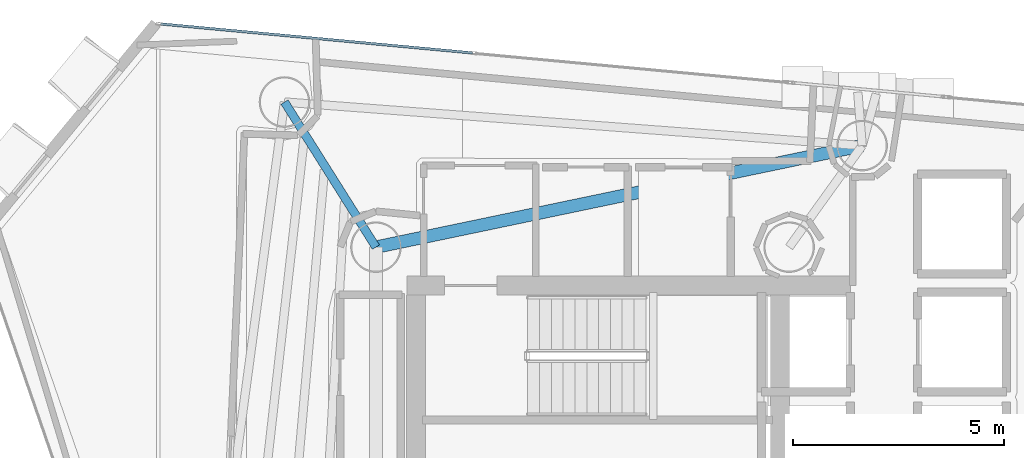
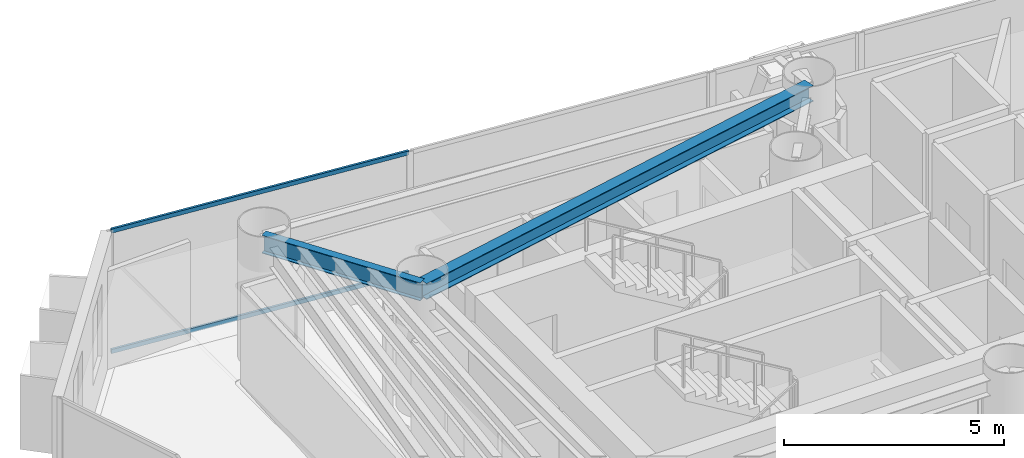
# One storey, part 10 of 20: 2 beams, 2 members, 1 element without a shape of its own.
"""IFC4 building model written with IfcOpenShell, lengths in metres."""

from ifc_helpers import new_model, si_unit, direction, frame, origin, origin_2d, place, context, subcontext, project, spatial, hollow_rectangle, i_section, extrude, material, layer, layer_set, material_profile, profile_set, type_object, element, aggregate, save


model = new_model("IFC4")

# Units and contexts
model_context = context("Model", 3, precision=1e-05, world=origin(), true_north=direction((0.0, 1.0)))
body_context = subcontext(model_context, "Body", "Model", "MODEL_VIEW")
ifc_project = project(units=[si_unit("LENGTHUNIT", "METRE"), si_unit("AREAUNIT", "SQUARE_METRE"), si_unit("VOLUMEUNIT", "CUBIC_METRE"), si_unit("PLANEANGLEUNIT", "RADIAN"), si_unit("MASSUNIT", "GRAM", prefix="KILO")], contexts=[model_context])

# Site, building, storey
site_placement = place(None, origin())
site = spatial("IfcSite", under=ifc_project, at=site_placement, CompositionType="ELEMENT")
building_placement = place(site_placement, origin())
building = spatial("IfcBuilding", under=site, at=building_placement, Name="Qianvela Tower", CompositionType="ELEMENT")
storey_placement = place(building_placement, frame((0.0, 0.0, 226.199951171875)))
storey = spatial("IfcBuildingStorey", under=building, at=storey_placement, Name="L58", CompositionType="ELEMENT", Elevation=226.199951171875)

# Beams
ifc_material_1 = material(Name="Steel Q355B", Category="steel")
ifc_material_profile_1 = material_profile(ifc_material_1, i_section(OverallWidth=0.300048828125, OverallDepth=0.43994140625, WebThickness=0.010986328125, FlangeThickness=0.01806640625, at=origin_2d()), Name="HM440x300x11x18")
ifc_profile_set_1 = profile_set([ifc_material_profile_1], Name="Steel Q355B")
beam_type_1 = type_object("IfcBeamType", Name="BM-HM440-COLL", PredefinedType="BEAM", material=ifc_profile_set_1)
beam_1_placement = place(storey_placement, frame((28.60009765625, 33.550048828125, 3.177978515625), z_axis=(0.978884270582, 0.204415226456, 0.0), x_axis=(-0.204415226456, 0.978884270582, 0.0)))
element("IfcBeam", 1, at=beam_1_placement, inside=storey, type_object=beam_type_1, Name="L58 Perimeter Ring Tie Girder 1B", PredefinedType="BEAM", context=body_context, shape_type="SweptSolid", body=[
    extrude(i_section(OverallWidth=0.300048828125, OverallDepth=0.43994140625, WebThickness=0.010986328125, FlangeThickness=0.01806640625, at=origin_2d()), origin(), (0.0, 0.0, 1.0), 11.77978515625),
])
ifc_material_2 = material(Name="Steel Q355B", Category="steel")
ifc_material_profile_2 = material_profile(ifc_material_2, i_section(OverallWidth=0.199951171875, OverallDepth=0.5, WebThickness=0.010009765625, FlangeThickness=0.01611328125, at=origin_2d()), Name="HN500x200x10x16")
ifc_profile_set_2 = profile_set([ifc_material_profile_2], Name="Steel Q355B")
beam_type_2 = type_object("IfcBeamType", Name="BM-HN500-GIRD", PredefinedType="BEAM", material=ifc_profile_set_2)
beam_2_placement = place(storey_placement, frame((28.60009765625, 33.550048828125, 3.14794921875), z_axis=(-0.533177693809, 0.846003278258, 0.0), x_axis=(-0.846003278258, -0.533177693809, 0.0)))
element("IfcBeam", 2, at=beam_2_placement, inside=storey, type_object=beam_type_2, Name="L58 Radial Primary Floor Girder 3", PredefinedType="BEAM", context=body_context, shape_type="SweptSolid", body=[
    extrude(i_section(OverallWidth=0.199951171875, OverallDepth=0.5, WebThickness=0.010009765625, FlangeThickness=0.01611328125, at=origin_2d()), origin(), (0.0, 0.0, 1.0), 4.068359375),
])

# Curtain wall, members
ifc_material_3 = material(Name="Anodised Architectural Aluminium and Low-E Glass", Category="aluminium")
ifc_layer = layer(ifc_material_3, 0.159912109375)
ifc_layer_set = layer_set([ifc_layer], Name="Anodised Architectural Aluminium and Low-E Glass")
curtain_wall_type = type_object("IfcCurtainWallType", Name="CW-COLIV-Z56", PredefinedType="USERDEFINED", material=ifc_layer_set)
curtain_wall_placement = place(storey_placement, origin())
curtain_wall = element("IfcCurtainWall", 3, at=curtain_wall_placement, inside=storey, type_object=curtain_wall_type, Name="L58 CW-COLIV-Z56 Curtain Wall 02C", ObjectType="CURTAIN_WALL_SYSTEM", PredefinedType="USERDEFINED")
ifc_material_4 = material(Name="Anodised Architectural Aluminium 6063-T6", Category="aluminium")
ifc_material_profile_3 = material_profile(ifc_material_4, hollow_rectangle(XDim=0.06005859375, YDim=0.114990234375, WallThickness=0.00390625, at=origin_2d()), Name="ALU-TRAN-60x115")
ifc_profile_set_3 = profile_set([ifc_material_profile_3], Name="Anodised Architectural Aluminium 6063-T6")
member_type = type_object("IfcMemberType", Name="CW-COLIV-Z56-TRAN", PredefinedType="USERDEFINED", material=ifc_profile_set_3)
member_1_placement = place(storey_placement, frame((30.892333984375, 38.15625, 0.030029296875), z_axis=(-0.995704175273, 0.092591551146, 0.0), x_axis=(-0.092591551146, -0.995704175273, 0.0)))
member_1 = element("IfcMember", 4, at=member_1_placement, type_object=member_type, Name="CW-5 transom 2.1", ObjectType="TRANSOM", PredefinedType="USERDEFINED", context=body_context, shape_type="SweptSolid", body=[
    extrude(hollow_rectangle(XDim=0.06005859375, YDim=0.114990234375, WallThickness=0.00390625, at=origin_2d()), origin(), (0.0, 0.0, 1.0), 7.430419921875),
])
member_2_placement = place(storey_placement, frame((30.892333984375, 38.15625, 3.3701171875), z_axis=(-0.995704175273, 0.092591551146, 0.0), x_axis=(-0.092591551146, -0.995704175273, 0.0)))
member_2 = element("IfcMember", 5, at=member_2_placement, type_object=member_type, Name="CW-5 transom 2.2", ObjectType="TRANSOM", PredefinedType="USERDEFINED", context=body_context, shape_type="SweptSolid", body=[
    extrude(hollow_rectangle(XDim=0.06005859375, YDim=0.114990234375, WallThickness=0.00390625, at=origin_2d()), origin(), (0.0, 0.0, 1.0), 7.430419921875),
])
aggregate(curtain_wall, [member_1, member_2])

save(model, "model.ifc")
